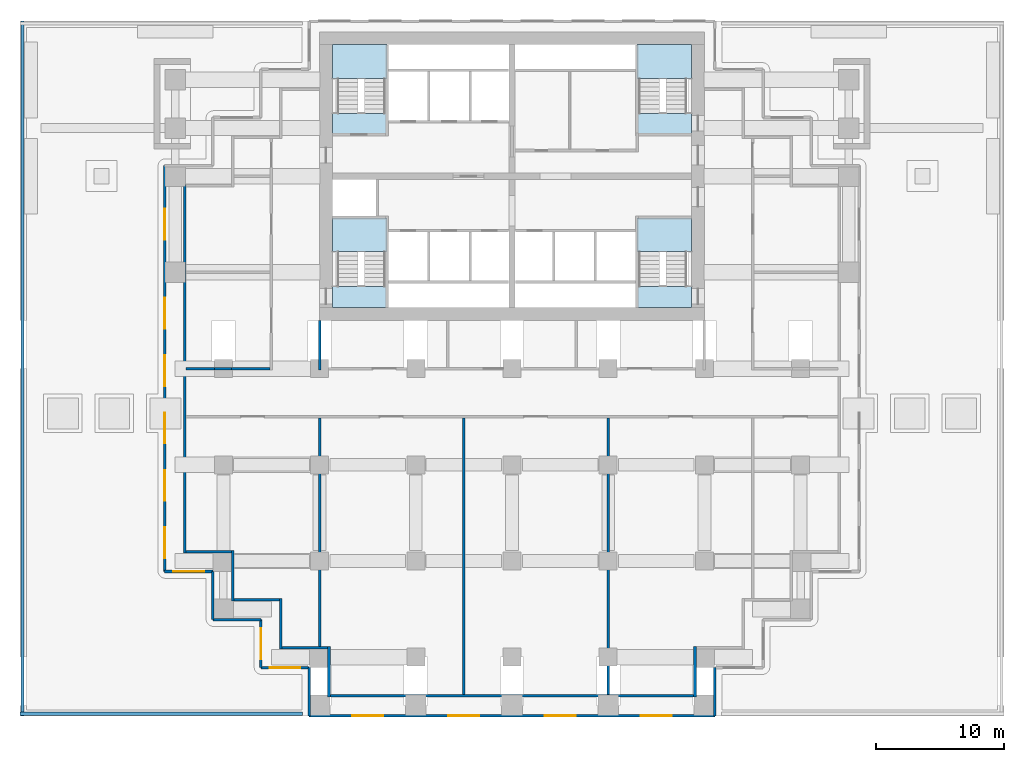
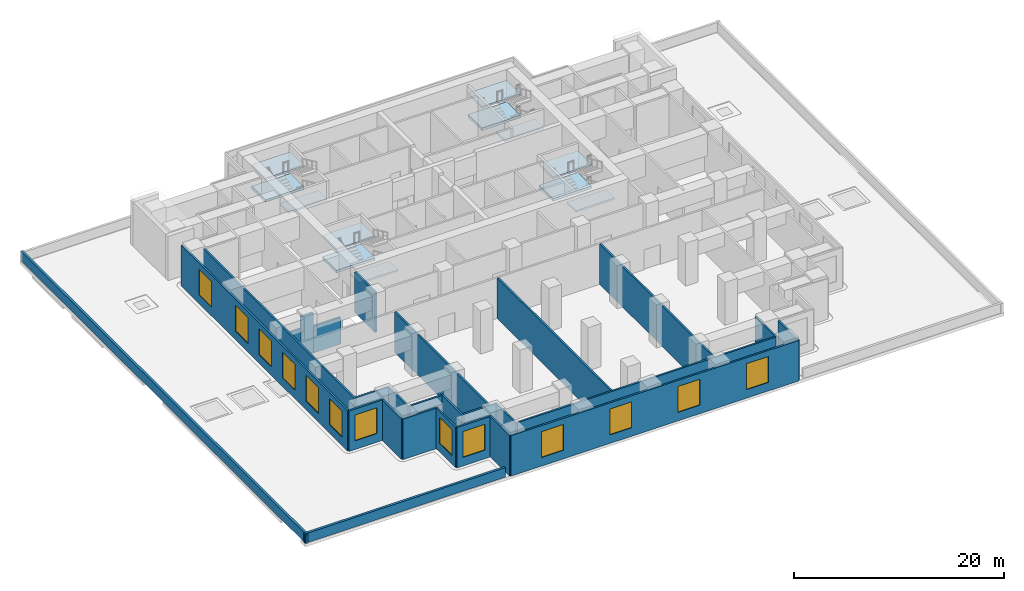
# One storey, part 2 of 9: 27 walls, 13 windows, 12 slabs, 13 openings, 4 elements without a shape of their own.
"""IFC4 building model written with IfcOpenShell, lengths in metres."""

from ifc_helpers import new_model, si_unit, direction, frame, frame_2d, origin, place, context, subcontext, project, spatial, polyline, rectangle, outline, extrude, material, layer, layer_set, type_object, element, fill, aggregate, save


model = new_model("IFC4")

# Units and contexts
model_context = context("Model", 3, precision=1e-05, world=origin(), true_north=direction((0.0, 1.0)))
body_context = subcontext(model_context, "Body", "Model", "MODEL_VIEW")
ifc_project = project(units=[si_unit("LENGTHUNIT", "METRE"), si_unit("AREAUNIT", "SQUARE_METRE"), si_unit("VOLUMEUNIT", "CUBIC_METRE"), si_unit("PLANEANGLEUNIT", "RADIAN"), si_unit("MASSUNIT", "GRAM", prefix="KILO")], contexts=[model_context])

# Site, building, storey
site_placement = place(None, origin())
site = spatial("IfcSite", under=ifc_project, at=site_placement, CompositionType="ELEMENT")
building_placement = place(site_placement, origin())
building = spatial("IfcBuilding", under=site, at=building_placement, Name="Pilkhan Gate Tower", CompositionType="ELEMENT")
storey_placement = place(building_placement, frame((0.0, 0.0, 30.0)))
storey = spatial("IfcBuildingStorey", under=building, at=storey_placement, Name="L04", CompositionType="ELEMENT", Elevation=30.0)

# Stair, slabs
ifc_material_1 = material(Name="Concrete C40/50 precast", Category="concrete")
stair_type_1 = type_object("IfcStairType", Name="Stair ST1 139x340", PredefinedType="HALF_TURN_STAIR", material=ifc_material_1)
stair_1_placement = place(storey_placement, origin())
stair_1 = element("IfcStair", 1, at=stair_1_placement, inside=storey, type_object=stair_type_1, Name="Stair ST1 L04", PredefinedType="HALF_TURN_STAIR")
ifc_material_2 = material(Name="Concrete C40/50", Category="concrete")
ifc_layer_1 = layer(ifc_material_2, 0.199951171875)
ifc_layer_set_1 = layer_set([ifc_layer_1], Name="Stair landing SL200")
slab_type = type_object("IfcSlabType", Name="Stair landing SL200", PredefinedType="LANDING", material=ifc_layer_set_1)
slab_1_placement = place(storey_placement, frame((0.0, 0.0, 0.949951171875)))
slab_1 = element("IfcSlab", 2, at=slab_1_placement, type_object=slab_type, Name="ST1 landing 1", PredefinedType="LANDING", context=body_context, shape_type="SweptSolid", body=[
    extrude(outline(polyline([(89.0, 76.6201171875), (89.0, 79.25), (84.75, 79.25), (84.75, 76.6201171875), (89.0, 76.6201171875)])), origin(), (0.0, 0.0, 1.0), 0.300048828125),
])
slab_2_placement = place(storey_placement, frame((0.0, 0.0, 2.300048828125)))
slab_2 = element("IfcSlab", 3, at=slab_2_placement, type_object=slab_type, Name="ST1 landing 2", PredefinedType="LANDING", context=body_context, shape_type="SweptSolid", body=[
    extrude(outline(polyline([(89.0, 72.25), (89.0, 73.89990234375), (84.75, 73.89990234375), (84.75, 72.25), (89.0, 72.25)])), origin(), (0.0, 0.0, 1.0), 0.199951171875),
])
slab_3_placement = place(storey_placement, frame((0.0, 0.0, 3.550048828125)))
slab_3 = element("IfcSlab", 4, at=slab_3_placement, type_object=slab_type, Name="ST1 landing 3", PredefinedType="LANDING", context=body_context, shape_type="SweptSolid", body=[
    extrude(outline(polyline([(89.0, 76.6201171875), (89.0, 79.25), (84.75, 79.25), (84.75, 76.6201171875), (89.0, 76.6201171875)])), origin(), (0.0, 0.0, 1.0), 0.199951171875),
])
aggregate(stair_1, [slab_1, slab_2, slab_3])

stair_type_2 = type_object("IfcStairType", Name="Stair ST2 139x340", PredefinedType="HALF_TURN_STAIR", material=ifc_material_1)
stair_2_placement = place(storey_placement, origin())
stair_2 = element("IfcStair", 5, at=stair_2_placement, inside=storey, type_object=stair_type_2, Name="Stair ST2 L04", PredefinedType="HALF_TURN_STAIR")
slab_4_placement = place(storey_placement, frame((0.0, 0.0, 0.949951171875)))
slab_4 = element("IfcSlab", 6, at=slab_4_placement, type_object=slab_type, Name="ST2 landing 1", PredefinedType="LANDING", context=body_context, shape_type="SweptSolid", body=[
    extrude(outline(polyline([(65.25, 76.6201171875), (65.25, 79.25), (61.0, 79.25), (61.0, 76.6201171875), (65.25, 76.6201171875)])), origin(), (0.0, 0.0, 1.0), 0.300048828125),
])
slab_5_placement = place(storey_placement, frame((0.0, 0.0, 2.300048828125)))
slab_5 = element("IfcSlab", 7, at=slab_5_placement, type_object=slab_type, Name="ST2 landing 2", PredefinedType="LANDING", context=body_context, shape_type="SweptSolid", body=[
    extrude(outline(polyline([(65.25, 72.25), (65.25, 73.89990234375), (61.0, 73.89990234375), (61.0, 72.25), (65.25, 72.25)])), origin(), (0.0, 0.0, 1.0), 0.199951171875),
])
slab_6_placement = place(storey_placement, frame((0.0, 0.0, 3.550048828125)))
slab_6 = element("IfcSlab", 8, at=slab_6_placement, type_object=slab_type, Name="ST2 landing 3", PredefinedType="LANDING", context=body_context, shape_type="SweptSolid", body=[
    extrude(outline(polyline([(65.25, 76.6201171875), (65.25, 79.25), (61.0, 79.25), (61.0, 76.6201171875), (65.25, 76.6201171875)])), origin(), (0.0, 0.0, 1.0), 0.199951171875),
])
aggregate(stair_2, [slab_4, slab_5, slab_6])

stair_type_3 = type_object("IfcStairType", Name="Stair ST3 139x340", PredefinedType="HALF_TURN_STAIR", material=ifc_material_1)
stair_3_placement = place(storey_placement, origin())
stair_3 = element("IfcStair", 9, at=stair_3_placement, inside=storey, type_object=stair_type_3, Name="Stair ST3 L04", PredefinedType="HALF_TURN_STAIR")
slab_7_placement = place(storey_placement, frame((0.0, 0.0, 0.949951171875)))
slab_7 = element("IfcSlab", 10, at=slab_7_placement, type_object=slab_type, Name="ST3 landing 1", PredefinedType="LANDING", context=body_context, shape_type="SweptSolid", body=[
    extrude(outline(polyline([(65.25, 90.1201171875), (65.25, 92.75), (61.0, 92.75), (61.0, 90.1201171875), (65.25, 90.1201171875)])), origin(), (0.0, 0.0, 1.0), 0.300048828125),
])
slab_8_placement = place(storey_placement, frame((0.0, 0.0, 2.300048828125)))
slab_8 = element("IfcSlab", 11, at=slab_8_placement, type_object=slab_type, Name="ST3 landing 2", PredefinedType="LANDING", context=body_context, shape_type="SweptSolid", body=[
    extrude(outline(polyline([(65.25, 85.75), (65.25, 87.39990234375), (61.0, 87.39990234375), (61.0, 85.75), (65.25, 85.75)])), origin(), (0.0, 0.0, 1.0), 0.199951171875),
])
slab_9_placement = place(storey_placement, frame((0.0, 0.0, 3.550048828125)))
slab_9 = element("IfcSlab", 12, at=slab_9_placement, type_object=slab_type, Name="ST3 landing 3", PredefinedType="LANDING", context=body_context, shape_type="SweptSolid", body=[
    extrude(outline(polyline([(65.25, 90.1201171875), (65.25, 92.75), (61.0, 92.75), (61.0, 90.1201171875), (65.25, 90.1201171875)])), origin(), (0.0, 0.0, 1.0), 0.199951171875),
])
aggregate(stair_3, [slab_7, slab_8, slab_9])

stair_type_4 = type_object("IfcStairType", Name="Stair ST4 139x340", PredefinedType="HALF_TURN_STAIR", material=ifc_material_1)
stair_4_placement = place(storey_placement, origin())
stair_4 = element("IfcStair", 13, at=stair_4_placement, inside=storey, type_object=stair_type_4, Name="Stair ST4 L04", PredefinedType="HALF_TURN_STAIR")
slab_10_placement = place(storey_placement, frame((0.0, 0.0, 0.949951171875)))
slab_10 = element("IfcSlab", 14, at=slab_10_placement, type_object=slab_type, Name="ST4 landing 1", PredefinedType="LANDING", context=body_context, shape_type="SweptSolid", body=[
    extrude(outline(polyline([(89.0, 90.1201171875), (89.0, 92.75), (84.75, 92.75), (84.75, 90.1201171875), (89.0, 90.1201171875)])), origin(), (0.0, 0.0, 1.0), 0.300048828125),
])
slab_11_placement = place(storey_placement, frame((0.0, 0.0, 2.300048828125)))
slab_11 = element("IfcSlab", 15, at=slab_11_placement, type_object=slab_type, Name="ST4 landing 2", PredefinedType="LANDING", context=body_context, shape_type="SweptSolid", body=[
    extrude(outline(polyline([(89.0, 85.75), (89.0, 87.39990234375), (84.75, 87.39990234375), (84.75, 85.75), (89.0, 85.75)])), origin(), (0.0, 0.0, 1.0), 0.199951171875),
])
slab_12_placement = place(storey_placement, frame((0.0, 0.0, 3.550048828125)))
slab_12 = element("IfcSlab", 16, at=slab_12_placement, type_object=slab_type, Name="ST4 landing 3", PredefinedType="LANDING", context=body_context, shape_type="SweptSolid", body=[
    extrude(outline(polyline([(89.0, 90.1201171875), (89.0, 92.75), (84.75, 92.75), (84.75, 90.1201171875), (89.0, 90.1201171875)])), origin(), (0.0, 0.0, 1.0), 0.199951171875),
])
aggregate(stair_4, [slab_10, slab_11, slab_12])

# Walls
ifc_material_3 = material(Name="Dense blockwork", Category="masonry")
ifc_layer_2 = layer(ifc_material_3, 0.199951171875)
ifc_layer_set_2 = layer_set([ifc_layer_2], Name="Lobby wall LW200")
wall_type_1 = type_object("IfcWallType", Name="Lobby wall LW200", PredefinedType="PARTITIONING", material=ifc_layer_set_2)
wall_1_placement = place(storey_placement, frame((60.8349609375, 41.985107421875, 0.0), z_axis=(0.0, 0.0, 1.0), x_axis=(1.0, 0.0, 0.0)))
element("IfcWall", 17, at=wall_1_placement, inside=storey, type_object=wall_type_1, Name="Partition L04", PredefinedType="PARTITIONING", context=body_context, shape_type="SweptSolid", body=[
    extrude(rectangle(XDim=28.330078125, YDim=0.199951171875, at=frame_2d((14.1650390625, 0.0))), origin(), (0.0, 0.0, 1.0), 4.699951171875),
])
for number, where, z_axis, x_axis, name in (
    (18, (57.0849609375, 45.735107421875, 0.0), (0.0, 0.0, 1.0), (1.0, 0.0, 0.0), "Partition L04"),
    (19, (53.3349609375, 49.485107421875, 0.0), (0.0, 0.0, 1.0), (1.0, 0.0, 0.0), "Partition L04"),
    (20, (49.5849609375, 53.235107421875, 0.0), (0.0, 0.0, 1.0), (1.0, 0.0, 0.0), "Partition L04"),
):
    element("IfcWall", number, at=place(storey_placement, frame(where, z_axis=z_axis, x_axis=x_axis)), inside=storey, type_object=wall_type_1, Name=name, PredefinedType="PARTITIONING", context=body_context, shape_type="SweptSolid", body=[
        extrude(rectangle(XDim=3.550048828125, YDim=0.199951171875, at=frame_2d((1.77490234375, 0.0))), origin(), (0.0, 0.0, 1.0), 4.699951171875),
    ])
wall_2_placement = place(storey_placement, frame((49.5849609375, 67.5, 0.0), z_axis=(0.0, 0.0, 1.0), x_axis=(1.0, 0.0, 0.0)))
element("IfcWall", 21, at=wall_2_placement, inside=storey, type_object=wall_type_1, Name="Partition L04", PredefinedType="PARTITIONING", context=body_context, shape_type="SweptSolid", body=[
    extrude(rectangle(XDim=2.215087890625, YDim=0.199951171875, at=frame_2d((1.107421875, 0.0))), origin(), (0.0, 0.0, 1.0), 3.300048828125),
])
wall_3_placement = place(storey_placement, frame((51.800048828125, 67.5, 0.0), z_axis=(0.0, 0.0, 1.0), x_axis=(1.0, 0.0, 0.0)))
element("IfcWall", 22, at=wall_3_placement, inside=storey, type_object=wall_type_1, Name="Partition L04", PredefinedType="PARTITIONING", context=body_context, shape_type="SweptSolid", body=[
    extrude(rectangle(XDim=1.348876953125, YDim=0.199951171875, at=frame_2d((0.67431640625, 0.0))), origin(), (0.0, 0.0, 1.0), 4.699951171875),
])
wall_4_placement = place(storey_placement, frame((53.14892578125, 67.5, 0.0), z_axis=(0.0, 0.0, 1.0), x_axis=(1.0, 0.0, 0.0)))
element("IfcWall", 23, at=wall_4_placement, inside=storey, type_object=wall_type_1, Name="Partition L04", PredefinedType="PARTITIONING", context=body_context, shape_type="SweptSolid", body=[
    extrude(rectangle(XDim=3.0009765625, YDim=0.199951171875, at=frame_2d((1.50048828125, 0.0))), origin(), (0.0, 0.0, 1.0), 3.10009765625),
])
wall_5_placement = place(storey_placement, frame((49.485107421875, 53.135009765625, 0.0), z_axis=(0.0, 0.0, 1.0), x_axis=(0.0, 1.0, 0.0)))
element("IfcWall", 24, at=wall_5_placement, inside=storey, type_object=wall_type_1, Name="Partition L04", PredefinedType="PARTITIONING", context=body_context, shape_type="SweptSolid", body=[
    extrude(rectangle(XDim=28.72998046875, YDim=0.199951171875, at=frame_2d((14.364990234375, 0.0))), origin(), (0.0, 0.0, 1.0), 4.699951171875),
])
for number, where, z_axis, x_axis, name in (
    (25, (53.235107421875, 49.385009765625, 0.0), (0.0, 0.0, 1.0), (0.0, 1.0, 0.0), "Partition L04"),
    (26, (56.985107421875, 45.635009765625, 0.0), (0.0, 0.0, 1.0), (0.0, 1.0, 0.0), "Partition L04"),
):
    element("IfcWall", number, at=place(storey_placement, frame(where, z_axis=z_axis, x_axis=x_axis)), inside=storey, type_object=wall_type_1, Name=name, PredefinedType="PARTITIONING", context=body_context, shape_type="SweptSolid", body=[
        extrude(rectangle(XDim=3.949951171875, YDim=0.199951171875, at=frame_2d((1.97509765625, 0.0))), origin(), (0.0, 0.0, 1.0), 4.699951171875),
    ])
wall_6_placement = place(storey_placement, frame((60.0, 45.8349609375, 0.0), z_axis=(0.0, 0.0, 1.0), x_axis=(0.0, 1.0, 0.0)))
element("IfcWall", 27, at=wall_6_placement, inside=storey, type_object=wall_type_1, Name="Partition L04", PredefinedType="PARTITIONING", context=body_context, shape_type="SweptSolid", body=[
    extrude(rectangle(XDim=17.81494140625, YDim=0.199951171875, at=frame_2d((8.907470703125, 0.0))), origin(), (0.0, 0.0, 1.0), 4.699951171875),
])
wall_7_placement = place(storey_placement, frame((60.0, 67.39990234375, 0.0), z_axis=(0.0, 0.0, 1.0), x_axis=(0.0, 1.0, 0.0)))
element("IfcWall", 28, at=wall_7_placement, inside=storey, type_object=wall_type_1, Name="Partition L04", PredefinedType="PARTITIONING", context=body_context, shape_type="SweptSolid", body=[
    extrude(rectangle(XDim=3.840087890625, YDim=0.199951171875, at=frame_2d((1.919921875, 0.0))), origin(), (0.0, 0.0, 1.0), 4.699951171875),
])
wall_8_placement = place(storey_placement, frame((60.735107421875, 41.885009765625, 0.0), z_axis=(0.0, 0.0, 1.0), x_axis=(0.0, 1.0, 0.0)))
element("IfcWall", 29, at=wall_8_placement, inside=storey, type_object=wall_type_1, Name="Partition L04", PredefinedType="PARTITIONING", context=body_context, shape_type="SweptSolid", body=[
    extrude(rectangle(XDim=3.949951171875, YDim=0.199951171875, at=frame_2d((1.97509765625, 0.0))), origin(), (0.0, 0.0, 1.0), 4.699951171875),
])
for number, where, z_axis, x_axis, name in (
    (30, (71.25, 42.0849609375, 0.0), (0.0, 0.0, 1.0), (0.0, 1.0, 0.0), "Partition L04"),
    (31, (82.5, 42.0849609375, 0.0), (0.0, 0.0, 1.0), (0.0, 1.0, 0.0), "Partition L04"),
):
    element("IfcWall", number, at=place(storey_placement, frame(where, z_axis=z_axis, x_axis=x_axis)), inside=storey, type_object=wall_type_1, Name=name, PredefinedType="PARTITIONING", context=body_context, shape_type="SweptSolid", body=[
        extrude(rectangle(XDim=21.56494140625, YDim=0.199951171875, at=frame_2d((10.782470703125, 0.0))), origin(), (0.0, 0.0, 1.0), 4.699951171875),
    ])
wall_9_placement = place(storey_placement, frame((89.264892578125, 41.885009765625, 0.0), z_axis=(0.0, 0.0, 1.0), x_axis=(0.0, 1.0, 0.0)))
element("IfcWall", 32, at=wall_9_placement, inside=storey, type_object=wall_type_1, Name="Partition L04", PredefinedType="PARTITIONING", context=body_context, shape_type="SweptSolid", body=[
    extrude(rectangle(XDim=3.949951171875, YDim=0.199951171875, at=frame_2d((1.97509765625, 0.0))), origin(), (0.0, 0.0, 1.0), 4.699951171875),
])
ifc_layer_3 = layer(ifc_material_2, 0.25)
ifc_layer_set_3 = layer_set([ifc_layer_3], Name="Parapet wall PA250")
wall_type_2 = type_object("IfcWallType", Name="Parapet wall PA250", PredefinedType="USERDEFINED", material=ifc_layer_set_3)
wall_10_placement = place(storey_placement, frame((58.658935546875, 40.60009765625, 0.0), z_axis=(0.0, 0.0, 1.0), x_axis=(-1.0, 0.0, 0.0)))
element("IfcWall", 33, at=wall_10_placement, inside=storey, type_object=wall_type_2, Name="Podium roof parapet", ObjectType="PARAPET WALL", PredefinedType="USERDEFINED", context=body_context, shape_type="SweptSolid", body=[
    extrude(rectangle(XDim=22.009033203125, YDim=0.25, at=frame_2d((11.00439453125, 0.0))), origin(), (0.0, 0.0, 1.0), 1.10009765625),
])
wall_11_placement = place(storey_placement, frame((36.85009765625, 40.39990234375, 0.0), z_axis=(0.0, 0.0, 1.0), x_axis=(0.0, 1.0, 0.0)))
element("IfcWall", 34, at=wall_11_placement, inside=storey, type_object=wall_type_2, Name="Podium roof parapet", ObjectType="PARAPET WALL", PredefinedType="USERDEFINED", context=body_context, shape_type="SweptSolid", body=[
    extrude(rectangle(XDim=54.2001953125, YDim=0.25, at=frame_2d((27.10009765625, 0.0))), origin(), (0.0, 0.0, 1.0), 1.10009765625),
])

# Wall, openings, windows
ifc_material_4 = material(Name="Pale anodised aluminium cladding", Category="aluminium")
ifc_layer_4 = layer(ifc_material_4, 0.199951171875)
ifc_layer_set_4 = layer_set([ifc_layer_4], Name="Plant screen wall PS200")
wall_type_3 = type_object("IfcWallType", Name="Plant screen wall PS200", PredefinedType="SOLIDWALL", material=ifc_layer_set_4)
wall_12_placement = place(storey_placement, frame((47.929931640625, 51.679931640625, 0.0), z_axis=(0.0, 0.0, 1.0), x_axis=(0.0, 1.0, 0.0)))
wall_12 = element("IfcWall", 35, at=wall_12_placement, inside=storey, type_object=wall_type_3, Name="Plant screen wall L04 W", PredefinedType="SOLIDWALL", context=body_context, shape_type="SweptSolid", body=[
    extrude(rectangle(XDim=31.64013671875, YDim=0.199951171875, at=frame_2d((15.820068359375, 0.0))), origin(), (0.0, 0.0, 1.0), 4.699951171875),
])
opening_1_placement = place(wall_12_placement, frame((1.037109375, 0.0, 1.0)))
opening_1 = element("IfcOpeningElement", 36, at=opening_1_placement, cuts=wall_12, Name="Opening WL1", PredefinedType="OPENING", context=body_context, shape_type="SweptSolid", body=[
    extrude(rectangle(XDim=2.39990234375, YDim=3.0, at=frame_2d((1.199951171875, 1.5))), frame((0.0, 0.10986328125, 0.0), z_axis=(0.0, -1.0, 0.0), x_axis=(1.0, 0.0, 0.0)), (0.0, 0.0, 1.0), 0.219970703125),
])
opening_2_placement = place(wall_12_placement, frame((5.510986328125, 0.0, 1.0)))
opening_2 = element("IfcOpeningElement", 37, at=opening_2_placement, cuts=wall_12, Name="Opening WL1", PredefinedType="OPENING", context=body_context, shape_type="SweptSolid", body=[
    extrude(rectangle(XDim=2.39990234375, YDim=3.0, at=frame_2d((1.199951171875, 1.5))), frame((0.0, 0.10986328125, 0.0), z_axis=(0.0, -1.0, 0.0), x_axis=(1.0, 0.0, 0.0)), (0.0, 0.0, 1.0), 0.219970703125),
])
opening_3_placement = place(wall_12_placement, frame((9.985107421875, 0.0, 1.0)))
opening_3 = element("IfcOpeningElement", 38, at=opening_3_placement, cuts=wall_12, Name="Opening WL1", PredefinedType="OPENING", context=body_context, shape_type="SweptSolid", body=[
    extrude(rectangle(XDim=2.39990234375, YDim=3.0, at=frame_2d((1.199951171875, 1.5))), frame((0.0, 0.10986328125, 0.0), z_axis=(0.0, -1.0, 0.0), x_axis=(1.0, 0.0, 0.0)), (0.0, 0.0, 1.0), 0.219970703125),
])
opening_4_placement = place(wall_12_placement, frame((14.458984375, 0.0, 1.0)))
opening_4 = element("IfcOpeningElement", 39, at=opening_4_placement, cuts=wall_12, Name="Opening WL1", PredefinedType="OPENING", context=body_context, shape_type="SweptSolid", body=[
    extrude(rectangle(XDim=2.39990234375, YDim=3.0, at=frame_2d((1.199951171875, 1.5))), frame((0.0, 0.10986328125, 0.0), z_axis=(0.0, -1.0, 0.0), x_axis=(1.0, 0.0, 0.0)), (0.0, 0.0, 1.0), 0.219970703125),
])
opening_5_placement = place(wall_12_placement, frame((18.93310546875, 0.0, 1.0)))
opening_5 = element("IfcOpeningElement", 40, at=opening_5_placement, cuts=wall_12, Name="Opening WL1", PredefinedType="OPENING", context=body_context, shape_type="SweptSolid", body=[
    extrude(rectangle(XDim=2.39990234375, YDim=3.0, at=frame_2d((1.199951171875, 1.5))), frame((0.0, 0.10986328125, 0.0), z_axis=(0.0, -1.0, 0.0), x_axis=(1.0, 0.0, 0.0)), (0.0, 0.0, 1.0), 0.219970703125),
])
opening_6_placement = place(wall_12_placement, frame((25.8701171875, 0.0, 1.0)))
opening_6 = element("IfcOpeningElement", 41, at=opening_6_placement, cuts=wall_12, Name="Opening WL1", PredefinedType="OPENING", context=body_context, shape_type="SweptSolid", body=[
    extrude(rectangle(XDim=2.39990234375, YDim=3.0, at=frame_2d((1.199951171875, 1.5))), frame((0.0, 0.10986328125, 0.0), z_axis=(0.0, -1.0, 0.0), x_axis=(1.0, 0.0, 0.0)), (0.0, 0.0, 1.0), 0.219970703125),
])
ifc_material_5 = material(Name="Pale anodised aluminium storm louvre, bird mesh", Category="aluminium")
window_type = type_object("IfcWindowType", Name="Plant louvre WL1 2400x3000", PartitioningType="SINGLE_PANEL", PredefinedType="USERDEFINED", material=ifc_material_5)
window_1_placement = place(opening_1_placement, origin())
window_1 = element("IfcWindow", 42, at=window_1_placement, inside=storey, type_object=window_type, Name="Louvre L04", ObjectType="LOUVRE", OverallHeight=3.0, OverallWidth=2.39990234375, PartitioningType="SINGLE_PANEL", PredefinedType="USERDEFINED", context=body_context, shape_type="SweptSolid", body=[
    extrude(rectangle(XDim=2.39990234375, YDim=3.0, at=frame_2d((1.199951171875, 1.5))), frame((0.0, 0.030029296875, 0.0), z_axis=(0.0, -1.0, 0.0), x_axis=(1.0, 0.0, 0.0)), (0.0, 0.0, 1.0), 0.06005859375),
])
fill(opening_1, window_1)
window_2_placement = place(opening_2_placement, origin())
window_2 = element("IfcWindow", 43, at=window_2_placement, inside=storey, type_object=window_type, Name="Louvre L04", ObjectType="LOUVRE", OverallHeight=3.0, OverallWidth=2.39990234375, PartitioningType="SINGLE_PANEL", PredefinedType="USERDEFINED", context=body_context, shape_type="SweptSolid", body=[
    extrude(rectangle(XDim=2.39990234375, YDim=3.0, at=frame_2d((1.199951171875, 1.5))), frame((0.0, 0.030029296875, 0.0), z_axis=(0.0, -1.0, 0.0), x_axis=(1.0, 0.0, 0.0)), (0.0, 0.0, 1.0), 0.06005859375),
])
fill(opening_2, window_2)
window_3_placement = place(opening_3_placement, origin())
window_3 = element("IfcWindow", 44, at=window_3_placement, inside=storey, type_object=window_type, Name="Louvre L04", ObjectType="LOUVRE", OverallHeight=3.0, OverallWidth=2.39990234375, PartitioningType="SINGLE_PANEL", PredefinedType="USERDEFINED", context=body_context, shape_type="SweptSolid", body=[
    extrude(rectangle(XDim=2.39990234375, YDim=3.0, at=frame_2d((1.199951171875, 1.5))), frame((0.0, 0.030029296875, 0.0), z_axis=(0.0, -1.0, 0.0), x_axis=(1.0, 0.0, 0.0)), (0.0, 0.0, 1.0), 0.06005859375),
])
fill(opening_3, window_3)
window_4_placement = place(opening_4_placement, origin())
window_4 = element("IfcWindow", 45, at=window_4_placement, inside=storey, type_object=window_type, Name="Louvre L04", ObjectType="LOUVRE", OverallHeight=3.0, OverallWidth=2.39990234375, PartitioningType="SINGLE_PANEL", PredefinedType="USERDEFINED", context=body_context, shape_type="SweptSolid", body=[
    extrude(rectangle(XDim=2.39990234375, YDim=3.0, at=frame_2d((1.199951171875, 1.5))), frame((0.0, 0.030029296875, 0.0), z_axis=(0.0, -1.0, 0.0), x_axis=(1.0, 0.0, 0.0)), (0.0, 0.0, 1.0), 0.06005859375),
])
fill(opening_4, window_4)
window_5_placement = place(opening_5_placement, origin())
window_5 = element("IfcWindow", 46, at=window_5_placement, inside=storey, type_object=window_type, Name="Louvre L04", ObjectType="LOUVRE", OverallHeight=3.0, OverallWidth=2.39990234375, PartitioningType="SINGLE_PANEL", PredefinedType="USERDEFINED", context=body_context, shape_type="SweptSolid", body=[
    extrude(rectangle(XDim=2.39990234375, YDim=3.0, at=frame_2d((1.199951171875, 1.5))), frame((0.0, 0.030029296875, 0.0), z_axis=(0.0, -1.0, 0.0), x_axis=(1.0, 0.0, 0.0)), (0.0, 0.0, 1.0), 0.06005859375),
])
fill(opening_5, window_5)
window_6_placement = place(opening_6_placement, origin())
window_6 = element("IfcWindow", 47, at=window_6_placement, inside=storey, type_object=window_type, Name="Louvre L04", ObjectType="LOUVRE", OverallHeight=3.0, OverallWidth=2.39990234375, PartitioningType="SINGLE_PANEL", PredefinedType="USERDEFINED", context=body_context, shape_type="SweptSolid", body=[
    extrude(rectangle(XDim=2.39990234375, YDim=3.0, at=frame_2d((1.199951171875, 1.5))), frame((0.0, 0.030029296875, 0.0), z_axis=(0.0, -1.0, 0.0), x_axis=(1.0, 0.0, 0.0)), (0.0, 0.0, 1.0), 0.06005859375),
])
fill(opening_6, window_6)

# Wall, opening, window
wall_13_placement = place(storey_placement, frame((47.929931640625, 51.679931640625, 0.0), z_axis=(0.0, 0.0, 1.0), x_axis=(1.0, 0.0, 0.0)))
wall_13 = element("IfcWall", 48, at=wall_13_placement, inside=storey, type_object=wall_type_3, Name="Plant screen wall L04 S", PredefinedType="SOLIDWALL", context=body_context, shape_type="SweptSolid", body=[
    extrude(rectangle(XDim=3.75, YDim=0.199951171875, at=frame_2d((1.875, 0.0))), origin(), (0.0, 0.0, 1.0), 4.699951171875),
])
opening_7_placement = place(wall_13_placement, frame((0.675048828125, 0.0, 1.0)))
opening_7 = element("IfcOpeningElement", 49, at=opening_7_placement, cuts=wall_13, Name="Opening WL1", PredefinedType="OPENING", context=body_context, shape_type="SweptSolid", body=[
    extrude(rectangle(XDim=2.39990234375, YDim=3.0, at=frame_2d((1.199951171875, 1.5))), frame((0.0, 0.10986328125, 0.0), z_axis=(0.0, -1.0, 0.0), x_axis=(1.0, 0.0, 0.0)), (0.0, 0.0, 1.0), 0.219970703125),
])
window_7_placement = place(opening_7_placement, origin())
window_7 = element("IfcWindow", 50, at=window_7_placement, inside=storey, type_object=window_type, Name="Louvre L04", ObjectType="LOUVRE", OverallHeight=3.0, OverallWidth=2.39990234375, PartitioningType="SINGLE_PANEL", PredefinedType="USERDEFINED", context=body_context, shape_type="SweptSolid", body=[
    extrude(rectangle(XDim=2.39990234375, YDim=3.0, at=frame_2d((1.199951171875, 1.5))), frame((0.0, 0.030029296875, 0.0), z_axis=(0.0, -1.0, 0.0), x_axis=(1.0, 0.0, 0.0)), (0.0, 0.0, 1.0), 0.06005859375),
])
fill(opening_7, window_7)

# Walls
for number, where, z_axis, x_axis, name in (
    (51, (51.679931640625, 47.929931640625, 0.0), (0.0, 0.0, 1.0), (0.0, 1.0, 0.0), "Plant screen wall L04 W"),
    (52, (51.679931640625, 47.929931640625, 0.0), (0.0, 0.0, 1.0), (1.0, 0.0, 0.0), "Plant screen wall L04 S"),
):
    element("IfcWall", number, at=place(storey_placement, frame(where, z_axis=z_axis, x_axis=x_axis)), inside=storey, type_object=wall_type_3, Name=name, PredefinedType="SOLIDWALL", context=body_context, shape_type="SweptSolid", body=[
        extrude(rectangle(XDim=3.75, YDim=0.199951171875, at=frame_2d((1.875, 0.0))), origin(), (0.0, 0.0, 1.0), 4.699951171875),
    ])

# Wall, opening, window
wall_14_placement = place(storey_placement, frame((55.429931640625, 44.179931640625, 0.0), z_axis=(0.0, 0.0, 1.0), x_axis=(0.0, 1.0, 0.0)))
wall_14 = element("IfcWall", 53, at=wall_14_placement, inside=storey, type_object=wall_type_3, Name="Plant screen wall L04 W", PredefinedType="SOLIDWALL", context=body_context, shape_type="SweptSolid", body=[
    extrude(rectangle(XDim=3.75, YDim=0.199951171875, at=frame_2d((1.875, 0.0))), origin(), (0.0, 0.0, 1.0), 4.699951171875),
])
opening_8_placement = place(wall_14_placement, frame((0.675048828125, 0.0, 1.0)))
opening_8 = element("IfcOpeningElement", 54, at=opening_8_placement, cuts=wall_14, Name="Opening WL1", PredefinedType="OPENING", context=body_context, shape_type="SweptSolid", body=[
    extrude(rectangle(XDim=2.39990234375, YDim=3.0, at=frame_2d((1.199951171875, 1.5))), frame((0.0, 0.10986328125, 0.0), z_axis=(0.0, -1.0, 0.0), x_axis=(1.0, 0.0, 0.0)), (0.0, 0.0, 1.0), 0.219970703125),
])
window_8_placement = place(opening_8_placement, origin())
window_8 = element("IfcWindow", 55, at=window_8_placement, inside=storey, type_object=window_type, Name="Louvre L04", ObjectType="LOUVRE", OverallHeight=3.0, OverallWidth=2.39990234375, PartitioningType="SINGLE_PANEL", PredefinedType="USERDEFINED", context=body_context, shape_type="SweptSolid", body=[
    extrude(rectangle(XDim=2.39990234375, YDim=3.0, at=frame_2d((1.199951171875, 1.5))), frame((0.0, 0.030029296875, 0.0), z_axis=(0.0, -1.0, 0.0), x_axis=(1.0, 0.0, 0.0)), (0.0, 0.0, 1.0), 0.06005859375),
])
fill(opening_8, window_8)

wall_15_placement = place(storey_placement, frame((55.429931640625, 44.179931640625, 0.0), z_axis=(0.0, 0.0, 1.0), x_axis=(1.0, 0.0, 0.0)))
wall_15 = element("IfcWall", 56, at=wall_15_placement, inside=storey, type_object=wall_type_3, Name="Plant screen wall L04 S", PredefinedType="SOLIDWALL", context=body_context, shape_type="SweptSolid", body=[
    extrude(rectangle(XDim=3.75, YDim=0.199951171875, at=frame_2d((1.875, 0.0))), origin(), (0.0, 0.0, 1.0), 4.699951171875),
])
opening_9_placement = place(wall_15_placement, frame((0.675048828125, 0.0, 1.0)))
opening_9 = element("IfcOpeningElement", 57, at=opening_9_placement, cuts=wall_15, Name="Opening WL1", PredefinedType="OPENING", context=body_context, shape_type="SweptSolid", body=[
    extrude(rectangle(XDim=2.39990234375, YDim=3.0, at=frame_2d((1.199951171875, 1.5))), frame((0.0, 0.10986328125, 0.0), z_axis=(0.0, -1.0, 0.0), x_axis=(1.0, 0.0, 0.0)), (0.0, 0.0, 1.0), 0.219970703125),
])
window_9_placement = place(opening_9_placement, origin())
window_9 = element("IfcWindow", 58, at=window_9_placement, inside=storey, type_object=window_type, Name="Louvre L04", ObjectType="LOUVRE", OverallHeight=3.0, OverallWidth=2.39990234375, PartitioningType="SINGLE_PANEL", PredefinedType="USERDEFINED", context=body_context, shape_type="SweptSolid", body=[
    extrude(rectangle(XDim=2.39990234375, YDim=3.0, at=frame_2d((1.199951171875, 1.5))), frame((0.0, 0.030029296875, 0.0), z_axis=(0.0, -1.0, 0.0), x_axis=(1.0, 0.0, 0.0)), (0.0, 0.0, 1.0), 0.06005859375),
])
fill(opening_9, window_9)

# Wall
wall_16_placement = place(storey_placement, frame((59.179931640625, 40.429931640625, 0.0), z_axis=(0.0, 0.0, 1.0), x_axis=(0.0, 1.0, 0.0)))
element("IfcWall", 59, at=wall_16_placement, inside=storey, type_object=wall_type_3, Name="Plant screen wall L04 W", PredefinedType="SOLIDWALL", context=body_context, shape_type="SweptSolid", body=[
    extrude(rectangle(XDim=3.75, YDim=0.199951171875, at=frame_2d((1.875, 0.0))), origin(), (0.0, 0.0, 1.0), 4.699951171875),
])

# Wall, openings, windows
wall_17_placement = place(storey_placement, frame((59.179931640625, 40.429931640625, 0.0), z_axis=(0.0, 0.0, 1.0), x_axis=(1.0, 0.0, 0.0)))
wall_17 = element("IfcWall", 60, at=wall_17_placement, inside=storey, type_object=wall_type_3, Name="Plant screen wall L04 S", PredefinedType="SOLIDWALL", context=body_context, shape_type="SweptSolid", body=[
    extrude(rectangle(XDim=31.64013671875, YDim=0.199951171875, at=frame_2d((15.820068359375, 0.0))), origin(), (0.0, 0.0, 1.0), 4.699951171875),
])
opening_10_placement = place(wall_17_placement, frame((3.3701171875, 0.0, 1.0)))
opening_10 = element("IfcOpeningElement", 61, at=opening_10_placement, cuts=wall_17, Name="Opening WL1", PredefinedType="OPENING", context=body_context, shape_type="SweptSolid", body=[
    extrude(rectangle(XDim=2.39990234375, YDim=3.0, at=frame_2d((1.199951171875, 1.5))), frame((0.0, 0.10986328125, 0.0), z_axis=(0.0, -1.0, 0.0), x_axis=(1.0, 0.0, 0.0)), (0.0, 0.0, 1.0), 0.219970703125),
])
opening_11_placement = place(wall_17_placement, frame((10.8701171875, 0.0, 1.0)))
opening_11 = element("IfcOpeningElement", 62, at=opening_11_placement, cuts=wall_17, Name="Opening WL1", PredefinedType="OPENING", context=body_context, shape_type="SweptSolid", body=[
    extrude(rectangle(XDim=2.39990234375, YDim=3.0, at=frame_2d((1.199951171875, 1.5))), frame((0.0, 0.10986328125, 0.0), z_axis=(0.0, -1.0, 0.0), x_axis=(1.0, 0.0, 0.0)), (0.0, 0.0, 1.0), 0.219970703125),
])
opening_12_placement = place(wall_17_placement, frame((18.3701171875, 0.0, 1.0)))
opening_12 = element("IfcOpeningElement", 63, at=opening_12_placement, cuts=wall_17, Name="Opening WL1", PredefinedType="OPENING", context=body_context, shape_type="SweptSolid", body=[
    extrude(rectangle(XDim=2.39990234375, YDim=3.0, at=frame_2d((1.199951171875, 1.5))), frame((0.0, 0.10986328125, 0.0), z_axis=(0.0, -1.0, 0.0), x_axis=(1.0, 0.0, 0.0)), (0.0, 0.0, 1.0), 0.219970703125),
])
opening_13_placement = place(wall_17_placement, frame((25.8701171875, 0.0, 1.0)))
opening_13 = element("IfcOpeningElement", 64, at=opening_13_placement, cuts=wall_17, Name="Opening WL1", PredefinedType="OPENING", context=body_context, shape_type="SweptSolid", body=[
    extrude(rectangle(XDim=2.39990234375, YDim=3.0, at=frame_2d((1.199951171875, 1.5))), frame((0.0, 0.10986328125, 0.0), z_axis=(0.0, -1.0, 0.0), x_axis=(1.0, 0.0, 0.0)), (0.0, 0.0, 1.0), 0.219970703125),
])
window_10_placement = place(opening_10_placement, origin())
window_10 = element("IfcWindow", 65, at=window_10_placement, inside=storey, type_object=window_type, Name="Louvre L04", ObjectType="LOUVRE", OverallHeight=3.0, OverallWidth=2.39990234375, PartitioningType="SINGLE_PANEL", PredefinedType="USERDEFINED", context=body_context, shape_type="SweptSolid", body=[
    extrude(rectangle(XDim=2.39990234375, YDim=3.0, at=frame_2d((1.199951171875, 1.5))), frame((0.0, 0.030029296875, 0.0), z_axis=(0.0, -1.0, 0.0), x_axis=(1.0, 0.0, 0.0)), (0.0, 0.0, 1.0), 0.06005859375),
])
fill(opening_10, window_10)
window_11_placement = place(opening_11_placement, origin())
window_11 = element("IfcWindow", 66, at=window_11_placement, inside=storey, type_object=window_type, Name="Louvre L04", ObjectType="LOUVRE", OverallHeight=3.0, OverallWidth=2.39990234375, PartitioningType="SINGLE_PANEL", PredefinedType="USERDEFINED", context=body_context, shape_type="SweptSolid", body=[
    extrude(rectangle(XDim=2.39990234375, YDim=3.0, at=frame_2d((1.199951171875, 1.5))), frame((0.0, 0.030029296875, 0.0), z_axis=(0.0, -1.0, 0.0), x_axis=(1.0, 0.0, 0.0)), (0.0, 0.0, 1.0), 0.06005859375),
])
fill(opening_11, window_11)
window_12_placement = place(opening_12_placement, origin())
window_12 = element("IfcWindow", 67, at=window_12_placement, inside=storey, type_object=window_type, Name="Louvre L04", ObjectType="LOUVRE", OverallHeight=3.0, OverallWidth=2.39990234375, PartitioningType="SINGLE_PANEL", PredefinedType="USERDEFINED", context=body_context, shape_type="SweptSolid", body=[
    extrude(rectangle(XDim=2.39990234375, YDim=3.0, at=frame_2d((1.199951171875, 1.5))), frame((0.0, 0.030029296875, 0.0), z_axis=(0.0, -1.0, 0.0), x_axis=(1.0, 0.0, 0.0)), (0.0, 0.0, 1.0), 0.06005859375),
])
fill(opening_12, window_12)
window_13_placement = place(opening_13_placement, origin())
window_13 = element("IfcWindow", 68, at=window_13_placement, inside=storey, type_object=window_type, Name="Louvre L04", ObjectType="LOUVRE", OverallHeight=3.0, OverallWidth=2.39990234375, PartitioningType="SINGLE_PANEL", PredefinedType="USERDEFINED", context=body_context, shape_type="SweptSolid", body=[
    extrude(rectangle(XDim=2.39990234375, YDim=3.0, at=frame_2d((1.199951171875, 1.5))), frame((0.0, 0.030029296875, 0.0), z_axis=(0.0, -1.0, 0.0), x_axis=(1.0, 0.0, 0.0)), (0.0, 0.0, 1.0), 0.06005859375),
])
fill(opening_13, window_13)

# Wall
wall_18_placement = place(storey_placement, frame((90.820068359375, 40.429931640625, 0.0), z_axis=(0.0, 0.0, 1.0), x_axis=(0.0, 1.0, 0.0)))
element("IfcWall", 69, at=wall_18_placement, inside=storey, type_object=wall_type_3, Name="Plant screen wall L04 E", PredefinedType="SOLIDWALL", context=body_context, shape_type="SweptSolid", body=[
    extrude(rectangle(XDim=3.75, YDim=0.199951171875, at=frame_2d((1.875, 0.0))), origin(), (0.0, 0.0, 1.0), 4.699951171875),
])

save(model, "model.ifc")
